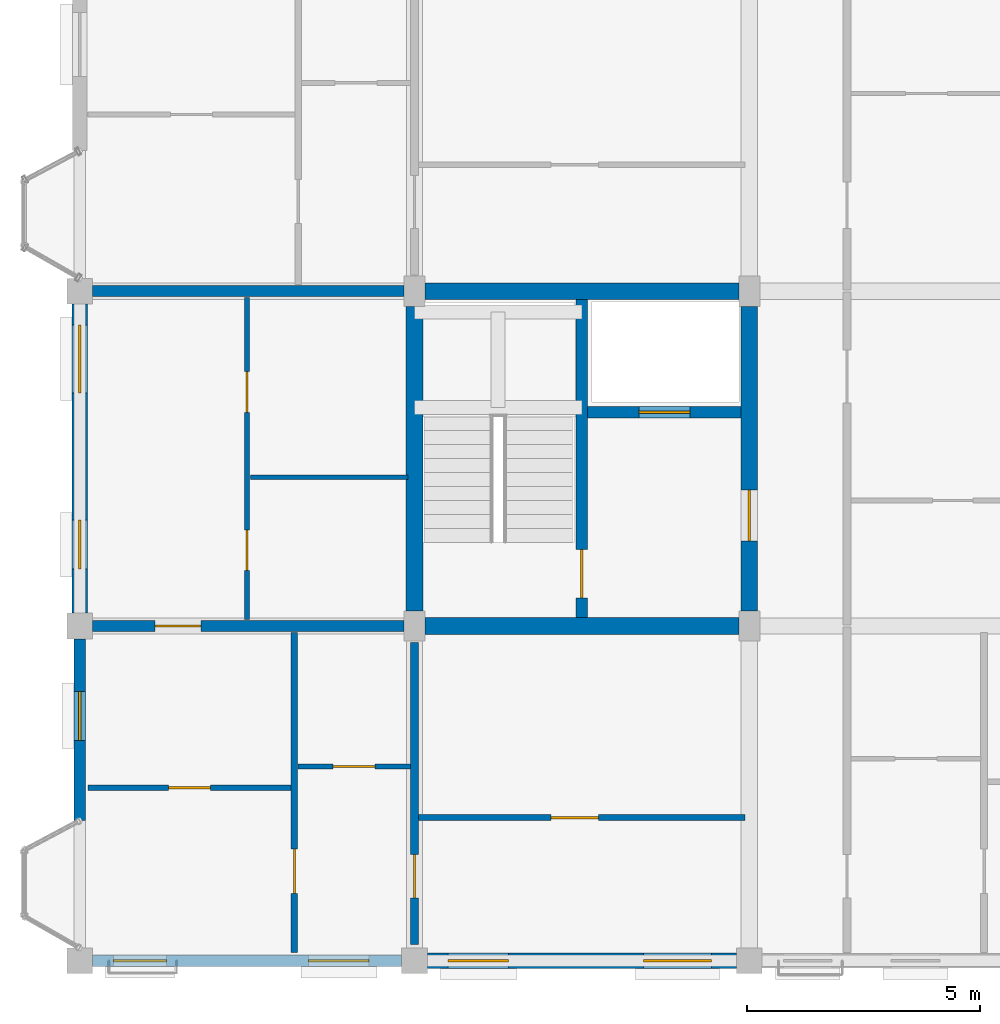
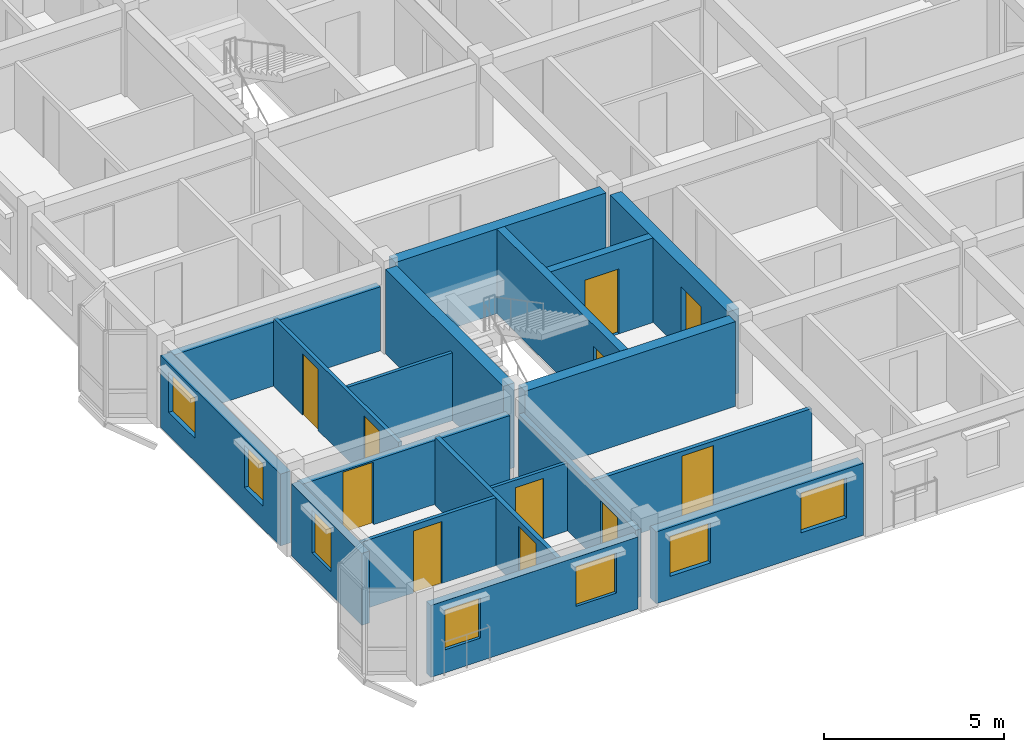
# One storey, part 45 of 75: 19 walls, 11 doors, 7 windows, 18 openings.
"""IFC4 building model written with IfcOpenShell, lengths in metres."""

from ifc_helpers import new_model, si_unit, direction, frame, frame_2d, origin, place, context, subcontext, project, spatial, rectangle, extrude, material, layer, layer_set, type_object, element, fill, save


model = new_model("IFC4")

# Units and contexts
model_context = context("Model", 3, precision=1e-05, world=origin(), true_north=direction((0.0, 1.0)))
body_context = subcontext(model_context, "Body", "Model", "MODEL_VIEW")
ifc_project = project(units=[si_unit("LENGTHUNIT", "METRE"), si_unit("AREAUNIT", "SQUARE_METRE"), si_unit("VOLUMEUNIT", "CUBIC_METRE"), si_unit("PLANEANGLEUNIT", "RADIAN"), si_unit("MASSUNIT", "GRAM", prefix="KILO"), si_unit("THERMODYNAMICTEMPERATUREUNIT", "KELVIN"), si_unit("POWERUNIT", "WATT")], contexts=[model_context])

# Site, building, storey
site_placement = place(None, origin())
site = spatial("IfcSite", under=ifc_project, at=site_placement, CompositionType="ELEMENT")
building_placement = place(site_placement, origin())
building = spatial("IfcBuilding", under=site, at=building_placement, Name="Tavuni Mirador Residences", CompositionType="ELEMENT")
storey_placement = place(building_placement, frame((0.0, 0.0, 20.25)))
storey = spatial("IfcBuildingStorey", under=building, at=storey_placement, Name="L06", CompositionType="ELEMENT", Elevation=20.25)

# Wall, opening, door
ifc_material_1 = material(Name="Precast concrete C40/50", Category="concrete")
ifc_layer_1 = layer(ifc_material_1, 0.25, Name="Precast concrete C40/50", Category="concrete")
ifc_layer_set_1 = layer_set([ifc_layer_1], Name="Precast concrete C40/50")
wall_type_1 = type_object("IfcWallType", Name="WT-COR250", PredefinedType="SHEAR", material=ifc_layer_set_1)
wall_1_placement = place(storey_placement, frame((14.39990234375, 14.580078125, 0.0), z_axis=(0.0, 0.0, 1.0), x_axis=(0.0, 1.0, 0.0)))
wall_1 = element("IfcWall", 1, at=wall_1_placement, inside=storey, type_object=wall_type_1, Name="CWALL-C1-L06-MID", PredefinedType="SHEAR", context=body_context, shape_type="SweptSolid", body=[
    extrude(rectangle(XDim=6.83984375, YDim=0.25, at=frame_2d((3.419921875, 0.0))), origin(), (0.0, 0.0, 1.0), 2.8701171875),
])
opening_1_placement = place(wall_1_placement, frame((0.419921875, 0.0, 0.0)))
opening_1 = element("IfcOpeningElement", 2, at=opening_1_placement, cuts=wall_1, Name="Opening D-01", PredefinedType="OPENING", context=body_context, shape_type="SweptSolid", body=[
    extrude(rectangle(XDim=1.050048828125, YDim=2.14990234375, at=frame_2d((0.52490234375, 1.074951171875))), frame((0.0, 0.135009765625, 0.0), z_axis=(0.0, -1.0, 0.0), x_axis=(1.0, 0.0, 0.0)), (0.0, 0.0, 1.0), 0.27001953125),
])
ifc_material_2 = material(Name="Solid core iroko timber", Category="wood")
door_type_1 = type_object("IfcDoorType", Name="DT-ST1050", OperationType="NOTDEFINED", PredefinedType="DOOR", material=ifc_material_2)
door_1_placement = place(opening_1_placement, origin())
door_1 = element("IfcDoor", 3, at=door_1_placement, inside=storey, type_object=door_type_1, Name="DR-2025", OperationType="SINGLE_SWING_LEFT", OverallHeight=2.14990234375, OverallWidth=1.050048828125, PredefinedType="DOOR", context=body_context, shape_type="SweptSolid", body=[
    extrude(rectangle(XDim=1.050048828125, YDim=2.14990234375, at=frame_2d((0.52490234375, 1.074951171875))), frame((0.0, 0.02490234375, 0.0), z_axis=(0.0, -1.0, 0.0), x_axis=(1.0, 0.0, 0.0)), (0.0, 0.0, 1.0), 0.050048828125),
])
fill(opening_1, door_1)

wall_2_placement = place(storey_placement, frame((14.52490234375, 19.0, 0.0), z_axis=(0.0, 0.0, 1.0), x_axis=(1.0, 0.0, 0.0)))
wall_2 = element("IfcWall", 4, at=wall_2_placement, inside=storey, type_object=wall_type_1, Name="CWALL-C1-L06-SHF", PredefinedType="SHEAR", context=body_context, shape_type="SweptSolid", body=[
    extrude(rectangle(XDim=3.295166015625, YDim=0.25, at=frame_2d((1.6474609375, 0.0))), origin(), (0.0, 0.0, 1.0), 2.8701171875),
])
opening_2_placement = place(wall_2_placement, frame((1.10009765625, 0.0, 0.0)))
opening_2 = element("IfcOpeningElement", 5, at=opening_2_placement, cuts=wall_2, Name="Opening LD-01", PredefinedType="OPENING", context=body_context, shape_type="SweptSolid", body=[
    extrude(rectangle(XDim=1.10009765625, YDim=2.199951171875, at=frame_2d((0.550048828125, 1.10009765625))), frame((0.0, 0.135009765625, 0.0), z_axis=(0.0, -1.0, 0.0), x_axis=(1.0, 0.0, 0.0)), (0.0, 0.0, 1.0), 0.27001953125),
])
ifc_material_3 = material(Name="Structural steel S355", Category="steel")
door_type_2 = type_object("IfcDoorType", Name="DT-LD-FF", OperationType="SLIDING_TO_LEFT", PredefinedType="DOOR", material=ifc_material_3)
door_2_placement = place(opening_2_placement, origin())
door_2 = element("IfcDoor", 6, at=door_2_placement, inside=storey, type_object=door_type_2, Name="Lift landing door FL-A1 L06", OperationType="SLIDING_TO_LEFT", OverallHeight=2.199951171875, OverallWidth=1.10009765625, PredefinedType="DOOR", context=body_context, shape_type="SweptSolid", body=[
    extrude(rectangle(XDim=1.10009765625, YDim=2.199951171875, at=frame_2d((0.550048828125, 1.10009765625))), frame((0.0, 0.02490234375, 0.0), z_axis=(0.0, -1.0, 0.0), x_axis=(1.0, 0.0, 0.0)), (0.0, 0.0, 1.0), 0.050048828125),
])
fill(opening_2, door_2)

# Walls
ifc_layer_2 = layer(ifc_material_1, 0.360107421875, Name="Precast concrete C40/50", Category="concrete")
ifc_layer_set_2 = layer_set([ifc_layer_2], Name="Precast concrete C40/50")
wall_type_2 = type_object("IfcWallType", Name="WT-COR360", PredefinedType="SHEAR", material=ifc_layer_set_2)
wall_3_placement = place(storey_placement, frame((10.800048828125, 14.72509765625, 0.0), z_axis=(0.0, 0.0, 1.0), x_axis=(0.0, 1.0, 0.0)))
element("IfcWall", 7, at=wall_3_placement, inside=storey, type_object=wall_type_2, Name="CWALL-C1-L06-W", PredefinedType="SHEAR", context=body_context, shape_type="SweptSolid", body=[
    extrude(rectangle(XDim=6.5498046875, YDim=0.360107421875, at=frame_2d((3.27490234375, 0.0))), origin(), (0.0, 0.0, 1.0), 2.8701171875),
])
wall_4_placement = place(storey_placement, frame((11.02490234375, 21.60009765625, 0.0), z_axis=(0.0, 0.0, 1.0), x_axis=(1.0, 0.0, 0.0)))
element("IfcWall", 8, at=wall_4_placement, inside=storey, type_object=wall_type_2, Name="CWALL-C1-L06-N", PredefinedType="SHEAR", context=body_context, shape_type="SweptSolid", body=[
    extrude(rectangle(XDim=6.75, YDim=0.360107421875, at=frame_2d((3.375, 0.0))), origin(), (0.0, 0.0, 1.0), 2.8701171875),
])

# Wall, opening, door
wall_5_placement = place(storey_placement, frame((18.0, 14.72509765625, 0.0), z_axis=(0.0, 0.0, 1.0), x_axis=(0.0, 1.0, 0.0)))
wall_5 = element("IfcWall", 9, at=wall_5_placement, inside=storey, type_object=wall_type_2, Name="CWALL-C1-L06-E", PredefinedType="SHEAR", context=body_context, shape_type="SweptSolid", body=[
    extrude(rectangle(XDim=6.5498046875, YDim=0.360107421875, at=frame_2d((3.27490234375, 0.0))), origin(), (0.0, 0.0, 1.0), 2.8701171875),
])
opening_3_placement = place(wall_5_placement, frame((1.5, 0.0, 0.0)))
opening_3 = element("IfcOpeningElement", 10, at=opening_3_placement, cuts=wall_5, Name="Opening D-02", PredefinedType="OPENING", context=body_context, shape_type="SweptSolid", body=[
    extrude(rectangle(XDim=1.10009765625, YDim=2.14990234375, at=frame_2d((0.550048828125, 1.074951171875))), frame((0.0, 0.18994140625, 0.0), z_axis=(0.0, -1.0, 0.0), x_axis=(1.0, 0.0, 0.0)), (0.0, 0.0, 1.0), 0.380126953125),
])
door_type_3 = type_object("IfcDoorType", Name="DT-LOB1100", OperationType="NOTDEFINED", PredefinedType="DOOR", material=ifc_material_2)
door_3_placement = place(opening_3_placement, frame((1.10009765625, 0.0, 0.0), z_axis=(0.0, 0.0, 1.0), x_axis=(-1.0, 0.0, 0.0)))
door_3 = element("IfcDoor", 11, at=door_3_placement, inside=storey, type_object=door_type_3, Name="DR-2024", OperationType="SINGLE_SWING_LEFT", OverallHeight=2.14990234375, OverallWidth=1.10009765625, PredefinedType="DOOR", context=body_context, shape_type="SweptSolid", body=[
    extrude(rectangle(XDim=1.10009765625, YDim=2.14990234375, at=frame_2d((0.550048828125, 1.074951171875))), frame((0.0, 0.02490234375, 0.0), z_axis=(0.0, -1.0, 0.0), x_axis=(1.0, 0.0, 0.0)), (0.0, 0.0, 1.0), 0.050048828125),
])
fill(opening_3, door_3)

# Wall
wall_6_placement = place(storey_placement, frame((11.02490234375, 14.39990234375, 0.0), z_axis=(0.0, 0.0, 1.0), x_axis=(1.0, 0.0, 0.0)))
element("IfcWall", 12, at=wall_6_placement, inside=storey, type_object=wall_type_2, Name="CWALL-C1-L06-SS", PredefinedType="SHEAR", context=body_context, shape_type="SweptSolid", body=[
    extrude(rectangle(XDim=6.75, YDim=0.360107421875, at=frame_2d((3.375, 0.0))), origin(), (0.0, 0.0, 1.0), 2.8701171875),
])

# Wall, opening, door
ifc_layer_3 = layer(ifc_material_1, 0.1650390625, Name="Precast concrete C40/50", Category="concrete")
ifc_layer_set_3 = layer_set([ifc_layer_3], Name="Precast concrete C40/50")
wall_type_3 = type_object("IfcWallType", Name="WT-CORR165", PredefinedType="PARTITIONING", material=ifc_layer_set_3)
wall_7_placement = place(storey_placement, frame((10.800048828125, 7.550048828125, 0.0), z_axis=(0.0, 0.0, 1.0), x_axis=(0.0, 1.0, 0.0)))
wall_7 = element("IfcWall", 13, at=wall_7_placement, inside=storey, type_object=wall_type_3, Name="CORW-BLK-A-L06-1-00", PredefinedType="PARTITIONING", context=body_context, shape_type="SweptSolid", body=[
    extrude(rectangle(XDim=6.5, YDim=0.1650390625, at=frame_2d((3.25, 0.0))), origin(), (0.0, 0.0, 1.0), 2.304931640625),
])
opening_4_placement = place(wall_7_placement, frame((1.0, 0.0, 0.0)))
opening_4 = element("IfcOpeningElement", 14, at=opening_4_placement, cuts=wall_7, Name="Opening D-19", PredefinedType="OPENING", context=body_context, shape_type="SweptSolid", body=[
    extrude(rectangle(XDim=0.93994140625, YDim=2.1201171875, at=frame_2d((0.469970703125, 1.06005859375))), frame((0.0, 0.092529296875, 0.0), z_axis=(0.0, -1.0, 0.0), x_axis=(1.0, 0.0, 0.0)), (0.0, 0.0, 1.0), 0.18505859375),
])
door_type_4 = type_object("IfcDoorType", Name="DT-FD60-940", OperationType="NOTDEFINED", PredefinedType="DOOR", material=ifc_material_2)
door_4_placement = place(opening_4_placement, origin())
door_4 = element("IfcDoor", 15, at=door_4_placement, inside=storey, type_object=door_type_4, Name="DR-2449", OperationType="SINGLE_SWING_RIGHT", OverallHeight=2.1201171875, OverallWidth=0.93994140625, PredefinedType="DOOR", context=body_context, shape_type="SweptSolid", body=[
    extrude(rectangle(XDim=0.93994140625, YDim=2.1201171875, at=frame_2d((0.469970703125, 1.06005859375))), frame((0.0, 0.02490234375, 0.0), z_axis=(0.0, -1.0, 0.0), x_axis=(1.0, 0.0, 0.0)), (0.0, 0.0, 1.0), 0.050048828125),
])
fill(opening_4, door_4)

# Wall, openings, windows
ifc_layer_4 = layer(ifc_material_1, 0.330078125, Name="Precast concrete C40/50", Category="concrete")
ifc_layer_set_4 = layer_set([ifc_layer_4], Name="Precast concrete C40/50")
wall_type_4 = type_object("IfcWallType", Name="WT-EXT-COR330", PredefinedType="SOLIDWALL", material=ifc_layer_set_4)
wall_8_placement = place(storey_placement, frame((11.074951171875, 7.199951171875, 0.0), z_axis=(0.0, 0.0, 1.0), x_axis=(1.0, 0.0, 0.0)))
wall_8 = element("IfcWall", 16, at=wall_8_placement, inside=storey, type_object=wall_type_4, Name="EW-BLK-A-L06-S01", PredefinedType="SOLIDWALL", context=body_context, shape_type="SweptSolid", body=[
    extrude(rectangle(XDim=6.650146484375, YDim=0.330078125, at=frame_2d((3.3251953125, 0.0))), origin(), (0.0, 0.0, 1.0), 2.43994140625),
])
opening_5_placement = place(wall_8_placement, frame((0.449951171875, 0.0, 0.780029296875)))
opening_5 = element("IfcOpeningElement", 17, at=opening_5_placement, cuts=wall_8, Name="Opening WN-22", PredefinedType="OPENING", context=body_context, shape_type="SweptSolid", body=[
    extrude(rectangle(XDim=1.300048828125, YDim=1.360107421875, at=frame_2d((0.64990234375, 0.68017578125))), frame((0.0, 0.175048828125, 0.0), z_axis=(0.0, -1.0, 0.0), x_axis=(1.0, 0.0, 0.0)), (0.0, 0.0, 1.0), 0.35009765625),
])
opening_6_placement = place(wall_8_placement, frame((4.64990234375, 0.0, 0.780029296875)))
opening_6 = element("IfcOpeningElement", 18, at=opening_6_placement, cuts=wall_8, Name="Opening WN-24", PredefinedType="OPENING", context=body_context, shape_type="SweptSolid", body=[
    extrude(rectangle(XDim=1.4599609375, YDim=1.360107421875, at=frame_2d((0.72998046875, 0.68017578125))), frame((0.0, 0.175048828125, 0.0), z_axis=(0.0, -1.0, 0.0), x_axis=(1.0, 0.0, 0.0)), (0.0, 0.0, 1.0), 0.35009765625),
])
ifc_material_4 = material(Name="Laminated solar-control glass", Category="glass")
window_type_1 = type_object("IfcWindowType", Name="WNT-22", PartitioningType="SINGLE_PANEL", PredefinedType="WINDOW", material=ifc_material_4)
window_1_placement = place(opening_5_placement, origin())
window_1 = element("IfcWindow", 19, at=window_1_placement, inside=storey, type_object=window_type_1, Name="WIN-0225", OverallHeight=1.360107421875, OverallWidth=1.300048828125, PartitioningType="SINGLE_PANEL", PredefinedType="WINDOW", context=body_context, shape_type="SweptSolid", body=[
    extrude(rectangle(XDim=1.300048828125, YDim=1.360107421875, at=frame_2d((0.64990234375, 0.68017578125))), frame((0.0, 0.030029296875, 0.0), z_axis=(0.0, -1.0, 0.0), x_axis=(1.0, 0.0, 0.0)), (0.0, 0.0, 1.0), 0.06005859375),
])
fill(opening_5, window_1)
window_type_2 = type_object("IfcWindowType", Name="WNT-24", PartitioningType="SINGLE_PANEL", PredefinedType="WINDOW", material=ifc_material_4)
window_2_placement = place(opening_6_placement, origin())
window_2 = element("IfcWindow", 20, at=window_2_placement, inside=storey, type_object=window_type_2, Name="WIN-0226", OverallHeight=1.360107421875, OverallWidth=1.4599609375, PartitioningType="SINGLE_PANEL", PredefinedType="WINDOW", context=body_context, shape_type="SweptSolid", body=[
    extrude(rectangle(XDim=1.4599609375, YDim=1.360107421875, at=frame_2d((0.72998046875, 0.68017578125))), frame((0.0, 0.030029296875, 0.0), z_axis=(0.0, -1.0, 0.0), x_axis=(1.0, 0.0, 0.0)), (0.0, 0.0, 1.0), 0.06005859375),
])
fill(opening_6, window_2)

wall_9_placement = place(storey_placement, frame((3.60009765625, 21.324951171875, 0.0), z_axis=(0.0, 0.0, 1.0), x_axis=(0.0, -1.0, 0.0)))
wall_9 = element("IfcWall", 21, at=wall_9_placement, inside=storey, type_object=wall_type_4, Name="EW-BLK-A-L06-W01", PredefinedType="SOLIDWALL", context=body_context, shape_type="SweptSolid", body=[
    extrude(rectangle(XDim=6.64990234375, YDim=0.330078125, at=frame_2d((3.324951171875, 0.0))), origin(), (0.0, 0.0, 1.0), 2.43994140625),
])
opening_7_placement = place(wall_9_placement, frame((0.449951171875, 0.0, 0.780029296875)))
opening_7 = element("IfcOpeningElement", 22, at=opening_7_placement, cuts=wall_9, Name="Opening WN-24", PredefinedType="OPENING", context=body_context, shape_type="SweptSolid", body=[
    extrude(rectangle(XDim=1.4599609375, YDim=1.360107421875, at=frame_2d((0.72998046875, 0.68017578125))), frame((0.0, 0.175048828125, 0.0), z_axis=(0.0, -1.0, 0.0), x_axis=(1.0, 0.0, 0.0)), (0.0, 0.0, 1.0), 0.35009765625),
])
opening_8_placement = place(wall_9_placement, frame((4.64990234375, 0.0, 0.780029296875)))
opening_8 = element("IfcOpeningElement", 23, at=opening_8_placement, cuts=wall_9, Name="Opening WN-26", PredefinedType="OPENING", context=body_context, shape_type="SweptSolid", body=[
    extrude(rectangle(XDim=1.050048828125, YDim=1.43994140625, at=frame_2d((0.52490234375, 0.719970703125))), frame((0.0, 0.175048828125, 0.0), z_axis=(0.0, -1.0, 0.0), x_axis=(1.0, 0.0, 0.0)), (0.0, 0.0, 1.0), 0.35009765625),
])
window_3_placement = place(opening_7_placement, origin())
window_3 = element("IfcWindow", 24, at=window_3_placement, inside=storey, type_object=window_type_2, Name="WIN-0257", OverallHeight=1.360107421875, OverallWidth=1.4599609375, PartitioningType="SINGLE_PANEL", PredefinedType="WINDOW", context=body_context, shape_type="SweptSolid", body=[
    extrude(rectangle(XDim=1.4599609375, YDim=1.360107421875, at=frame_2d((0.72998046875, 0.68017578125))), frame((0.0, 0.030029296875, 0.0), z_axis=(0.0, -1.0, 0.0), x_axis=(1.0, 0.0, 0.0)), (0.0, 0.0, 1.0), 0.06005859375),
])
fill(opening_7, window_3)
window_type_3 = type_object("IfcWindowType", Name="WNT-26", PartitioningType="SINGLE_PANEL", PredefinedType="WINDOW", material=ifc_material_4)
window_4_placement = place(opening_8_placement, origin())
window_4 = element("IfcWindow", 25, at=window_4_placement, inside=storey, type_object=window_type_3, Name="WIN-0258", OverallHeight=1.43994140625, OverallWidth=1.050048828125, PartitioningType="SINGLE_PANEL", PredefinedType="WINDOW", context=body_context, shape_type="SweptSolid", body=[
    extrude(rectangle(XDim=1.050048828125, YDim=1.43994140625, at=frame_2d((0.52490234375, 0.719970703125))), frame((0.0, 0.030029296875, 0.0), z_axis=(0.0, -1.0, 0.0), x_axis=(1.0, 0.0, 0.0)), (0.0, 0.0, 1.0), 0.06005859375),
])
fill(opening_8, window_4)

ifc_material_5 = material(Name="Sgraffito lime-rendered precast concrete C40/50", Category="concrete")
ifc_layer_5 = layer(ifc_material_5, 0.2451171875, Name="Sgraffito lime-rendered precast concrete C40/50", Category="concrete")
ifc_layer_set_5 = layer_set([ifc_layer_5], Name="Sgraffito lime-rendered precast concrete C40/50")
wall_type_5 = type_object("IfcWallType", Name="WT-EXT-PC245", PredefinedType="SOLIDWALL", material=ifc_layer_set_5)
wall_10_placement = place(storey_placement, frame((3.875, 7.199951171875, 0.0), z_axis=(0.0, 0.0, 1.0), x_axis=(1.0, 0.0, 0.0)))
wall_10 = element("IfcWall", 26, at=wall_10_placement, inside=storey, type_object=wall_type_5, Name="EW-BLK-A-L06-S00", PredefinedType="SOLIDWALL", context=body_context, shape_type="SweptSolid", body=[
    extrude(rectangle(XDim=6.64990234375, YDim=0.2451171875, at=frame_2d((3.324951171875, 0.0))), origin(), (0.0, 0.0, 1.0), 2.43994140625),
])
opening_9_placement = place(wall_10_placement, frame((0.449951171875, 0.0, 0.780029296875)))
opening_9 = element("IfcOpeningElement", 27, at=opening_9_placement, cuts=wall_10, Name="Opening WN-20", PredefinedType="OPENING", context=body_context, shape_type="SweptSolid", body=[
    extrude(rectangle(XDim=1.139892578125, YDim=1.360107421875, at=frame_2d((0.56982421875, 0.68017578125))), frame((0.0, 0.132568359375, 0.0), z_axis=(0.0, -1.0, 0.0), x_axis=(1.0, 0.0, 0.0)), (0.0, 0.0, 1.0), 0.26513671875),
])
opening_10_placement = place(wall_10_placement, frame((4.64990234375, 0.0, 0.780029296875)))
opening_10 = element("IfcOpeningElement", 28, at=opening_10_placement, cuts=wall_10, Name="Opening WN-22", PredefinedType="OPENING", context=body_context, shape_type="SweptSolid", body=[
    extrude(rectangle(XDim=1.300048828125, YDim=1.360107421875, at=frame_2d((0.64990234375, 0.68017578125))), frame((0.0, 0.132568359375, 0.0), z_axis=(0.0, -1.0, 0.0), x_axis=(1.0, 0.0, 0.0)), (0.0, 0.0, 1.0), 0.26513671875),
])
window_type_4 = type_object("IfcWindowType", Name="WNT-20", PartitioningType="SINGLE_PANEL", PredefinedType="WINDOW", material=ifc_material_4)
window_5_placement = place(opening_9_placement, origin())
window_5 = element("IfcWindow", 29, at=window_5_placement, inside=storey, type_object=window_type_4, Name="WIN-0223", OverallHeight=1.360107421875, OverallWidth=1.139892578125, PartitioningType="SINGLE_PANEL", PredefinedType="WINDOW", context=body_context, shape_type="SweptSolid", body=[
    extrude(rectangle(XDim=1.139892578125, YDim=1.360107421875, at=frame_2d((0.56982421875, 0.68017578125))), frame((0.0, 0.030029296875, 0.0), z_axis=(0.0, -1.0, 0.0), x_axis=(1.0, 0.0, 0.0)), (0.0, 0.0, 1.0), 0.06005859375),
])
fill(opening_9, window_5)
window_6_placement = place(opening_10_placement, origin())
window_6 = element("IfcWindow", 30, at=window_6_placement, inside=storey, type_object=window_type_1, Name="WIN-0224", OverallHeight=1.360107421875, OverallWidth=1.300048828125, PartitioningType="SINGLE_PANEL", PredefinedType="WINDOW", context=body_context, shape_type="SweptSolid", body=[
    extrude(rectangle(XDim=1.300048828125, YDim=1.360107421875, at=frame_2d((0.64990234375, 0.68017578125))), frame((0.0, 0.030029296875, 0.0), z_axis=(0.0, -1.0, 0.0), x_axis=(1.0, 0.0, 0.0)), (0.0, 0.0, 1.0), 0.06005859375),
])
fill(opening_10, window_6)

# Wall, opening, window
wall_11_placement = place(storey_placement, frame((3.60009765625, 14.125, 0.0), z_axis=(0.0, 0.0, 1.0), x_axis=(0.0, -1.0, 0.0)))
wall_11 = element("IfcWall", 31, at=wall_11_placement, inside=storey, type_object=wall_type_5, Name="EW-BLK-A-L06-W00", PredefinedType="SOLIDWALL", context=body_context, shape_type="SweptSolid", body=[
    extrude(rectangle(XDim=3.905029296875, YDim=0.2451171875, at=frame_2d((1.95263671875, 0.0))), origin(), (0.0, 0.0, 1.0), 2.43994140625),
])
opening_11_placement = place(wall_11_placement, frame((1.132568359375, 0.0, 0.780029296875)))
opening_11 = element("IfcOpeningElement", 32, at=opening_11_placement, cuts=wall_11, Name="Opening WN-26", PredefinedType="OPENING", context=body_context, shape_type="SweptSolid", body=[
    extrude(rectangle(XDim=1.050048828125, YDim=1.43994140625, at=frame_2d((0.52490234375, 0.719970703125))), frame((0.0, 0.132568359375, 0.0), z_axis=(0.0, -1.0, 0.0), x_axis=(1.0, 0.0, 0.0)), (0.0, 0.0, 1.0), 0.26513671875),
])
window_7_placement = place(opening_11_placement, origin())
window_7 = element("IfcWindow", 33, at=window_7_placement, inside=storey, type_object=window_type_3, Name="WIN-0259", OverallHeight=1.43994140625, OverallWidth=1.050048828125, PartitioningType="SINGLE_PANEL", PredefinedType="WINDOW", context=body_context, shape_type="SweptSolid", body=[
    extrude(rectangle(XDim=1.050048828125, YDim=1.43994140625, at=frame_2d((0.52490234375, 0.719970703125))), frame((0.0, 0.030029296875, 0.0), z_axis=(0.0, -1.0, 0.0), x_axis=(1.0, 0.0, 0.0)), (0.0, 0.0, 1.0), 0.06005859375),
])
fill(opening_11, window_7)

# Wall, opening, door
ifc_material_6 = material(Name="Acoustic gypsum and concrete block partition", Category="concrete")
ifc_layer_6 = layer(ifc_material_6, 0.10498046875, Name="Acoustic gypsum and concrete block partition", Category="concrete")
ifc_layer_set_6 = layer_set([ifc_layer_6], Name="Acoustic gypsum and concrete block partition")
wall_type_6 = type_object("IfcWallType", Name="WT-PART105", PredefinedType="PARTITIONING", material=ifc_layer_set_6)
wall_12_placement = place(storey_placement, frame((8.2900390625, 11.3798828125, 0.0), z_axis=(0.0, 0.0, 1.0), x_axis=(1.0, 0.0, 0.0)))
wall_12 = element("IfcWall", 34, at=wall_12_placement, inside=storey, type_object=wall_type_6, Name="PW-BLK-A-L06-W00-IN1", PredefinedType="PARTITIONING", context=body_context, shape_type="SweptSolid", body=[
    extrude(rectangle(XDim=2.419921875, YDim=0.10498046875, at=frame_2d((1.2099609375, 0.0))), origin(), (0.0, 0.0, 1.0), 2.304931640625),
])
opening_12_placement = place(wall_12_placement, frame((0.760009765625, 0.0, 0.0)))
opening_12 = element("IfcOpeningElement", 35, at=opening_12_placement, cuts=wall_12, Name="Opening D-09", PredefinedType="OPENING", context=body_context, shape_type="SweptSolid", body=[
    extrude(rectangle(XDim=0.89990234375, YDim=2.050048828125, at=frame_2d((0.449951171875, 1.02490234375))), frame((0.0, 0.0625, 0.0), z_axis=(0.0, -1.0, 0.0), x_axis=(1.0, 0.0, 0.0)), (0.0, 0.0, 1.0), 0.125),
])
door_type_5 = type_object("IfcDoorType", Name="DT-WC900", OperationType="NOTDEFINED", PredefinedType="DOOR", material=ifc_material_2)
door_5_placement = place(opening_12_placement, origin())
door_5 = element("IfcDoor", 36, at=door_5_placement, inside=storey, type_object=door_type_5, Name="DR-3136", OperationType="SINGLE_SWING_RIGHT", OverallHeight=2.050048828125, OverallWidth=0.89990234375, PredefinedType="DOOR", context=body_context, shape_type="SweptSolid", body=[
    extrude(rectangle(XDim=0.89990234375, YDim=2.050048828125, at=frame_2d((0.449951171875, 1.02490234375))), frame((0.0, 0.02490234375, 0.0), z_axis=(0.0, -1.0, 0.0), x_axis=(1.0, 0.0, 0.0)), (0.0, 0.0, 1.0), 0.050048828125),
])
fill(opening_12, door_5)

# Wall
wall_13_placement = place(storey_placement, frame((7.27001953125, 17.60009765625, 0.0), z_axis=(0.0, 0.0, 1.0), x_axis=(1.0, 0.0, 0.0)))
element("IfcWall", 37, at=wall_13_placement, inside=storey, type_object=wall_type_6, Name="PW-BLK-A-L06-WC01-H", PredefinedType="PARTITIONING", context=body_context, shape_type="SweptSolid", body=[
    extrude(rectangle(XDim=3.389892578125, YDim=0.10498046875, at=frame_2d((1.69482421875, 0.0))), origin(), (0.0, 0.0, 1.0), 2.304931640625),
])

# Wall, opening, door
ifc_layer_7 = layer(ifc_material_6, 0.114990234375, Name="Acoustic gypsum and concrete block partition", Category="concrete")
ifc_layer_set_7 = layer_set([ifc_layer_7], Name="Acoustic gypsum and concrete block partition")
wall_type_7 = type_object("IfcWallType", Name="WT-PART115", PredefinedType="PARTITIONING", material=ifc_layer_set_7)
wall_14_placement = place(storey_placement, frame((3.77490234375, 10.919921875, 0.0), z_axis=(0.0, 0.0, 1.0), x_axis=(1.0, 0.0, 0.0)))
wall_14 = element("IfcWall", 38, at=wall_14_placement, inside=storey, type_object=wall_type_7, Name="PW-BLK-A-L06-W00-OUT", PredefinedType="PARTITIONING", context=body_context, shape_type="SweptSolid", body=[
    extrude(rectangle(XDim=4.375, YDim=0.114990234375, at=frame_2d((2.1875, 0.0))), origin(), (0.0, 0.0, 1.0), 2.304931640625),
])
opening_13_placement = place(wall_14_placement, frame((1.737548828125, 0.0, 0.0)))
opening_13 = element("IfcOpeningElement", 39, at=opening_13_placement, cuts=wall_14, Name="Opening D-07", PredefinedType="OPENING", context=body_context, shape_type="SweptSolid", body=[
    extrude(rectangle(XDim=0.89990234375, YDim=2.10009765625, at=frame_2d((0.449951171875, 1.050048828125))), frame((0.0, 0.0673828125, 0.0), z_axis=(0.0, -1.0, 0.0), x_axis=(1.0, 0.0, 0.0)), (0.0, 0.0, 1.0), 0.135009765625),
])
door_type_6 = type_object("IfcDoorType", Name="DT-BED900", OperationType="NOTDEFINED", PredefinedType="DOOR", material=ifc_material_2)
door_6_placement = place(opening_13_placement, origin())
door_6 = element("IfcDoor", 40, at=door_6_placement, inside=storey, type_object=door_type_6, Name="DR-3135", OperationType="SINGLE_SWING_LEFT", OverallHeight=2.10009765625, OverallWidth=0.89990234375, PredefinedType="DOOR", context=body_context, shape_type="SweptSolid", body=[
    extrude(rectangle(XDim=0.89990234375, YDim=2.10009765625, at=frame_2d((0.449951171875, 1.050048828125))), frame((0.0, 0.02490234375, 0.0), z_axis=(0.0, -1.0, 0.0), x_axis=(1.0, 0.0, 0.0)), (0.0, 0.0, 1.0), 0.050048828125),
])
fill(opening_13, door_6)

# Wall, openings, doors
wall_15_placement = place(storey_placement, frame((7.199951171875, 14.5400390625, 0.0), z_axis=(0.0, 0.0, 1.0), x_axis=(0.0, 1.0, 0.0)))
wall_15 = element("IfcWall", 41, at=wall_15_placement, inside=storey, type_object=wall_type_7, Name="PW-BLK-A-L06-WC01-M", PredefinedType="PARTITIONING", context=body_context, shape_type="SweptSolid", body=[
    extrude(rectangle(XDim=6.919921875, YDim=0.114990234375, at=frame_2d((3.4599609375, 0.0))), origin(), (0.0, 0.0, 1.0), 2.304931640625),
])
opening_14_placement = place(wall_15_placement, frame((1.050048828125, 0.0, 0.0)))
opening_14 = element("IfcOpeningElement", 42, at=opening_14_placement, cuts=wall_15, Name="Opening D-10", PredefinedType="OPENING", context=body_context, shape_type="SweptSolid", body=[
    extrude(rectangle(XDim=0.8701171875, YDim=2.050048828125, at=frame_2d((0.43505859375, 1.02490234375))), frame((0.0, 0.0673828125, 0.0), z_axis=(0.0, -1.0, 0.0), x_axis=(1.0, 0.0, 0.0)), (0.0, 0.0, 1.0), 0.135009765625),
])
opening_15_placement = place(wall_15_placement, frame((4.449951171875, 0.0, 0.0)))
opening_15 = element("IfcOpeningElement", 43, at=opening_15_placement, cuts=wall_15, Name="Opening D-08", PredefinedType="OPENING", context=body_context, shape_type="SweptSolid", body=[
    extrude(rectangle(XDim=0.8798828125, YDim=2.080078125, at=frame_2d((0.43994140625, 1.0400390625))), frame((0.0, 0.0673828125, 0.0), z_axis=(0.0, -1.0, 0.0), x_axis=(1.0, 0.0, 0.0)), (0.0, 0.0, 1.0), 0.135009765625),
])
door_type_7 = type_object("IfcDoorType", Name="DT-BED880", OperationType="NOTDEFINED", PredefinedType="DOOR", material=ifc_material_2)
door_7_placement = place(opening_15_placement, origin())
door_7 = element("IfcDoor", 44, at=door_7_placement, inside=storey, type_object=door_type_7, Name="DR-3142", OperationType="SINGLE_SWING_LEFT", OverallHeight=2.080078125, OverallWidth=0.8798828125, PredefinedType="DOOR", context=body_context, shape_type="SweptSolid", body=[
    extrude(rectangle(XDim=0.8798828125, YDim=2.080078125, at=frame_2d((0.43994140625, 1.0400390625))), frame((0.0, 0.02490234375, 0.0), z_axis=(0.0, -1.0, 0.0), x_axis=(1.0, 0.0, 0.0)), (0.0, 0.0, 1.0), 0.050048828125),
])
fill(opening_15, door_7)
door_type_8 = type_object("IfcDoorType", Name="DT-WC870", OperationType="NOTDEFINED", PredefinedType="DOOR", material=ifc_material_2)
door_8_placement = place(opening_14_placement, origin())
door_8 = element("IfcDoor", 45, at=door_8_placement, inside=storey, type_object=door_type_8, Name="DR-3141", OperationType="SINGLE_SWING_RIGHT", OverallHeight=2.050048828125, OverallWidth=0.8701171875, PredefinedType="DOOR", context=body_context, shape_type="SweptSolid", body=[
    extrude(rectangle(XDim=0.8701171875, YDim=2.050048828125, at=frame_2d((0.43505859375, 1.02490234375))), frame((0.0, 0.02490234375, 0.0), z_axis=(0.0, -1.0, 0.0), x_axis=(1.0, 0.0, 0.0)), (0.0, 0.0, 1.0), 0.050048828125),
])
fill(opening_14, door_8)

# Wall, opening, door
ifc_layer_8 = layer(ifc_material_6, 0.125, Name="Acoustic gypsum and concrete block partition", Category="concrete")
ifc_layer_set_8 = layer_set([ifc_layer_8], Name="Acoustic gypsum and concrete block partition")
wall_type_8 = type_object("IfcWallType", Name="WT-PART125", PredefinedType="PARTITIONING", material=ifc_layer_set_8)
wall_16_placement = place(storey_placement, frame((10.889892578125, 10.280029296875, 0.0), z_axis=(0.0, 0.0, 1.0), x_axis=(1.0, 0.0, 0.0)))
wall_16 = element("IfcWall", 46, at=wall_16_placement, inside=storey, type_object=wall_type_8, Name="PW-SPN-BLK-A-L06-00", PredefinedType="PARTITIONING", context=body_context, shape_type="SweptSolid", body=[
    extrude(rectangle(XDim=7.02001953125, YDim=0.125, at=frame_2d((3.510009765625, 0.0))), origin(), (0.0, 0.0, 1.0), 2.304931640625),
])
opening_16_placement = place(wall_16_placement, frame((2.85009765625, 0.0, 0.0)))
opening_16 = element("IfcOpeningElement", 47, at=opening_16_placement, cuts=wall_16, Name="Opening D-13", PredefinedType="OPENING", context=body_context, shape_type="SweptSolid", body=[
    extrude(rectangle(XDim=1.02001953125, YDim=2.14990234375, at=frame_2d((0.510009765625, 1.074951171875))), frame((0.0, 0.072509765625, 0.0), z_axis=(0.0, -1.0, 0.0), x_axis=(1.0, 0.0, 0.0)), (0.0, 0.0, 1.0), 0.14501953125),
])
door_type_9 = type_object("IfcDoorType", Name="DT-MTG1020", OperationType="NOTDEFINED", PredefinedType="DOOR", material=ifc_material_2)
door_9_placement = place(opening_16_placement, origin())
door_9 = element("IfcDoor", 48, at=door_9_placement, inside=storey, type_object=door_type_9, Name="DR-3134", OperationType="SINGLE_SWING_LEFT", OverallHeight=2.14990234375, OverallWidth=1.02001953125, PredefinedType="DOOR", context=body_context, shape_type="SweptSolid", body=[
    extrude(rectangle(XDim=1.02001953125, YDim=2.14990234375, at=frame_2d((0.510009765625, 1.074951171875))), frame((0.0, 0.02490234375, 0.0), z_axis=(0.0, -1.0, 0.0), x_axis=(1.0, 0.0, 0.0)), (0.0, 0.0, 1.0), 0.050048828125),
])
fill(opening_16, door_9)

ifc_layer_9 = layer(ifc_material_6, 0.139892578125, Name="Acoustic gypsum and concrete block partition", Category="concrete")
ifc_layer_set_9 = layer_set([ifc_layer_9], Name="Acoustic gypsum and concrete block partition")
wall_type_9 = type_object("IfcWallType", Name="WT-PART140", PredefinedType="PARTITIONING", material=ifc_layer_set_9)
wall_17_placement = place(storey_placement, frame((8.219970703125, 7.375, 0.0), z_axis=(0.0, 0.0, 1.0), x_axis=(0.0, 1.0, 0.0)))
wall_17 = element("IfcWall", 49, at=wall_17_placement, inside=storey, type_object=wall_type_9, Name="PW-BLK-A-L06-W00-MID", PredefinedType="PARTITIONING", context=body_context, shape_type="SweptSolid", body=[
    extrude(rectangle(XDim=6.885009765625, YDim=0.139892578125, at=frame_2d((3.4423828125, 0.0))), origin(), (0.0, 0.0, 1.0), 2.304931640625),
])
opening_17_placement = place(wall_17_placement, frame((1.27490234375, 0.0, 0.0)))
opening_17 = element("IfcOpeningElement", 50, at=opening_17_placement, cuts=wall_17, Name="Opening D-05", PredefinedType="OPENING", context=body_context, shape_type="SweptSolid", body=[
    extrude(rectangle(XDim=0.949951171875, YDim=2.10009765625, at=frame_2d((0.47509765625, 1.050048828125))), frame((0.0, 0.080078125, 0.0), z_axis=(0.0, -1.0, 0.0), x_axis=(1.0, 0.0, 0.0)), (0.0, 0.0, 1.0), 0.159912109375),
])
door_type_10 = type_object("IfcDoorType", Name="DT-INT950", OperationType="NOTDEFINED", PredefinedType="DOOR", material=ifc_material_2)
door_10_placement = place(opening_17_placement, origin())
door_10 = element("IfcDoor", 51, at=door_10_placement, inside=storey, type_object=door_type_10, Name="DR-3137", OperationType="SINGLE_SWING_LEFT", OverallHeight=2.10009765625, OverallWidth=0.949951171875, PredefinedType="DOOR", context=body_context, shape_type="SweptSolid", body=[
    extrude(rectangle(XDim=0.949951171875, YDim=2.10009765625, at=frame_2d((0.47509765625, 1.050048828125))), frame((0.0, 0.02490234375, 0.0), z_axis=(0.0, -1.0, 0.0), x_axis=(1.0, 0.0, 0.0)), (0.0, 0.0, 1.0), 0.050048828125),
])
fill(opening_17, door_10)

ifc_layer_10 = layer(ifc_material_1, 0.235107421875, Name="Precast concrete C40/50", Category="concrete")
ifc_layer_set_10 = layer_set([ifc_layer_10], Name="Precast concrete C40/50")
wall_type_10 = type_object("IfcWallType", Name="WT-XW235", PredefinedType="SOLIDWALL", material=ifc_layer_set_10)
wall_18_placement = place(storey_placement, frame((3.875, 14.39990234375, 0.0), z_axis=(0.0, 0.0, 1.0), x_axis=(1.0, 0.0, 0.0)))
wall_18 = element("IfcWall", 52, at=wall_18_placement, inside=storey, type_object=wall_type_10, Name="XW-BLK-A-L06-W-01", PredefinedType="SOLIDWALL", context=body_context, shape_type="SweptSolid", body=[
    extrude(rectangle(XDim=6.699951171875, YDim=0.235107421875, at=frame_2d((3.35009765625, 0.0))), origin(), (0.0, 0.0, 1.0), 2.169921875),
])
opening_18_placement = place(wall_18_placement, frame((1.35009765625, 0.0, 0.0)))
opening_18 = element("IfcOpeningElement", 53, at=opening_18_placement, cuts=wall_18, Name="Opening D-04", PredefinedType="OPENING", context=body_context, shape_type="SweptSolid", body=[
    extrude(rectangle(XDim=0.97998046875, YDim=2.1201171875, at=frame_2d((0.489990234375, 1.06005859375))), frame((0.0, 0.12744140625, 0.0), z_axis=(0.0, -1.0, 0.0), x_axis=(1.0, 0.0, 0.0)), (0.0, 0.0, 1.0), 0.255126953125),
])
door_type_11 = type_object("IfcDoorType", Name="DT-FD60-980", OperationType="NOTDEFINED", PredefinedType="DOOR", material=ifc_material_2)
door_11_placement = place(opening_18_placement, origin())
door_11 = element("IfcDoor", 54, at=door_11_placement, inside=storey, type_object=door_type_11, Name="DR-4686", OperationType="SINGLE_SWING_LEFT", OverallHeight=2.1201171875, OverallWidth=0.97998046875, PredefinedType="DOOR", context=body_context, shape_type="SweptSolid", body=[
    extrude(rectangle(XDim=0.97998046875, YDim=2.1201171875, at=frame_2d((0.489990234375, 1.06005859375))), frame((0.0, 0.02490234375, 0.0), z_axis=(0.0, -1.0, 0.0), x_axis=(1.0, 0.0, 0.0)), (0.0, 0.0, 1.0), 0.050048828125),
])
fill(opening_18, door_11)

# Wall
wall_19_placement = place(storey_placement, frame((3.875, 21.60009765625, 0.0), z_axis=(0.0, 0.0, 1.0), x_axis=(1.0, 0.0, 0.0)))
element("IfcWall", 55, at=wall_19_placement, inside=storey, type_object=wall_type_10, Name="XW-BLK-A-L06-W-02", PredefinedType="SOLIDWALL", context=body_context, shape_type="SweptSolid", body=[
    extrude(rectangle(XDim=6.699951171875, YDim=0.235107421875, at=frame_2d((3.35009765625, 0.0))), origin(), (0.0, 0.0, 1.0), 2.169921875),
])

save(model, "model.ifc")
